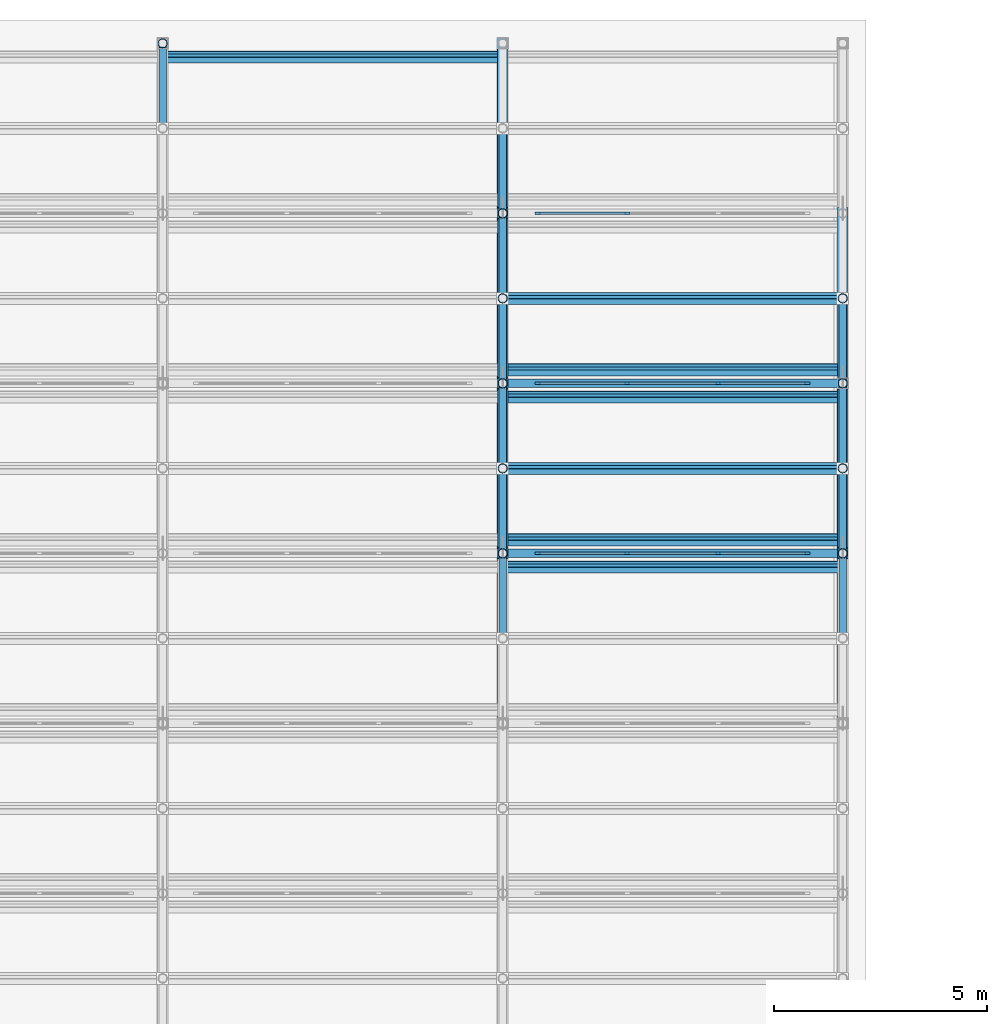
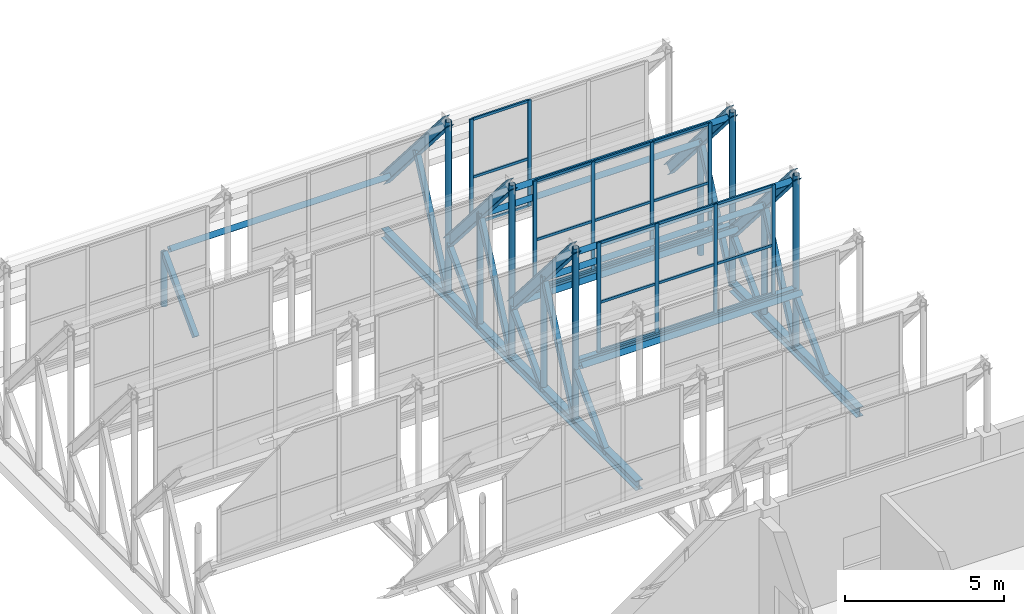
# One storey, part 27 of 43: 64 members, 4 beams, 3 elements without a shape of their own.
"""IFC4 building model written with IfcOpenShell, lengths in metres."""

from ifc_helpers import new_model, si_unit, direction, frame, origin, origin_2d, place, context, subcontext, project, spatial, rectangle, hollow_rectangle, hollow_circle, i_section, extrude, material, layer, layer_set, material_profile, profile_set, type_object, element, aggregate, save


model = new_model("IFC4")

# Units and contexts
model_context = context("Model", 3, precision=1e-05, world=origin(), true_north=direction((0.0, 1.0)))
body_context = subcontext(model_context, "Body", "Model", "MODEL_VIEW")
ifc_project = project(units=[si_unit("LENGTHUNIT", "METRE"), si_unit("AREAUNIT", "SQUARE_METRE"), si_unit("VOLUMEUNIT", "CUBIC_METRE"), si_unit("PLANEANGLEUNIT", "RADIAN"), si_unit("MASSUNIT", "GRAM", prefix="KILO")], contexts=[model_context])

# Site, building, storey
site_placement = place(None, origin())
site = spatial("IfcSite", under=ifc_project, at=site_placement, CompositionType="ELEMENT")
building_placement = place(site_placement, origin())
building = spatial("IfcBuilding", under=site, at=building_placement, Name="Qorikala Patio Media Centre", CompositionType="ELEMENT")
storey_placement = place(building_placement, frame((0.0, 0.0, 18.89990234375)))
storey = spatial("IfcBuildingStorey", under=building, at=storey_placement, Name="L04", CompositionType="ELEMENT", Elevation=18.89990234375)

# Members
ifc_material_1 = material(Name="Steel S355", Category="steel")
ifc_material_profile_1 = material_profile(ifc_material_1, hollow_rectangle(XDim=0.179931640625, YDim=0.179931640625, WallThickness=0.008056640625, at=origin_2d()), Name="HSS180X180X8")
ifc_profile_set_1 = profile_set([ifc_material_profile_1], Name="Steel S355")
member_type_1 = type_object("IfcMemberType", Name="BRACE-HSS180", PredefinedType="BRACE", material=ifc_profile_set_1)
for number, where, z_axis, x_axis, name in (
    (1, (11.0, 94.0, 0.35009765625), (0.0, 0.698315330267, 0.715790262238), (-1.0, 0.0, 0.0), "SAW-V4 Truss 2 Bay 6 Web Diagonal 2"),
    (2, (19.0, 82.0, 0.35009765625), (0.0, 0.698315330267, 0.715790262238), (-1.0, 0.0, 0.0), "SAW-V4 Truss 3 Bay 3 Web Diagonal 2"),
):
    element("IfcMember", number, at=place(storey_placement, frame(where, z_axis=z_axis, x_axis=x_axis)), inside=storey, type_object=member_type_1, Name=name, PredefinedType="BRACE", context=body_context, shape_type="SweptSolid", body=[
        extrude(hollow_rectangle(XDim=0.179931640625, YDim=0.179931640625, WallThickness=0.008056640625, at=origin_2d()), origin(), (0.0, 0.0, 1.0), 2.864013671875),
    ])
member_1_placement = place(storey_placement, frame((19.0, 84.0, 0.35009765625), z_axis=(0.0, 0.415759760268, 0.909474475586), x_axis=(-1.0, 0.0, 0.0)))
element("IfcMember", 3, at=member_1_placement, inside=storey, type_object=member_type_1, Name="SAW-V4 Truss 3 Bay 4 Web Diagonal 1", PredefinedType="BRACE", context=body_context, shape_type="SweptSolid", body=[
    extrude(hollow_rectangle(XDim=0.179931640625, YDim=0.179931640625, WallThickness=0.008056640625, at=origin_2d()), origin(), (0.0, 0.0, 1.0), 4.810546875),
])
member_2_placement = place(storey_placement, frame((19.0, 86.0, 0.35009765625), z_axis=(0.0, 0.698315330267, 0.715790262238), x_axis=(-1.0, 0.0, 0.0)))
element("IfcMember", 4, at=member_2_placement, inside=storey, type_object=member_type_1, Name="SAW-V4 Truss 3 Bay 4 Web Diagonal 2", PredefinedType="BRACE", context=body_context, shape_type="SweptSolid", body=[
    extrude(hollow_rectangle(XDim=0.179931640625, YDim=0.179931640625, WallThickness=0.008056640625, at=origin_2d()), origin(), (0.0, 0.0, 1.0), 2.864013671875),
])
member_3_placement = place(storey_placement, frame((19.0, 88.0, 0.35009765625), z_axis=(0.0, 0.415759760268, 0.909474475586), x_axis=(-1.0, 0.0, 0.0)))
element("IfcMember", 5, at=member_3_placement, inside=storey, type_object=member_type_1, Name="SAW-V4 Truss 3 Bay 5 Web Diagonal 1", PredefinedType="BRACE", context=body_context, shape_type="SweptSolid", body=[
    extrude(hollow_rectangle(XDim=0.179931640625, YDim=0.179931640625, WallThickness=0.008056640625, at=origin_2d()), origin(), (0.0, 0.0, 1.0), 4.810546875),
])
member_4_placement = place(storey_placement, frame((19.0, 90.0, 0.35009765625), z_axis=(0.0, 0.698315330267, 0.715790262238), x_axis=(-1.0, 0.0, 0.0)))
element("IfcMember", 6, at=member_4_placement, inside=storey, type_object=member_type_1, Name="SAW-V4 Truss 3 Bay 5 Web Diagonal 2", PredefinedType="BRACE", context=body_context, shape_type="SweptSolid", body=[
    extrude(hollow_rectangle(XDim=0.179931640625, YDim=0.179931640625, WallThickness=0.008056640625, at=origin_2d()), origin(), (0.0, 0.0, 1.0), 2.864013671875),
])
member_5_placement = place(storey_placement, frame((19.0, 92.0, 0.35009765625), z_axis=(0.0, 0.415759760268, 0.909474475586), x_axis=(-1.0, 0.0, 0.0)))
element("IfcMember", 7, at=member_5_placement, inside=storey, type_object=member_type_1, Name="SAW-V4 Truss 3 Bay 6 Web Diagonal 1", PredefinedType="BRACE", context=body_context, shape_type="SweptSolid", body=[
    extrude(hollow_rectangle(XDim=0.179931640625, YDim=0.179931640625, WallThickness=0.008056640625, at=origin_2d()), origin(), (0.0, 0.0, 1.0), 4.810546875),
])
member_6_placement = place(storey_placement, frame((27.0, 82.0, 0.35009765625), z_axis=(0.0, 0.698315330267, 0.715790262238), x_axis=(-1.0, 0.0, 0.0)))
element("IfcMember", 8, at=member_6_placement, inside=storey, type_object=member_type_1, Name="SAW-V4 Truss 4 Bay 3 Web Diagonal 2", PredefinedType="BRACE", context=body_context, shape_type="SweptSolid", body=[
    extrude(hollow_rectangle(XDim=0.179931640625, YDim=0.179931640625, WallThickness=0.008056640625, at=origin_2d()), origin(), (0.0, 0.0, 1.0), 2.864013671875),
])
member_7_placement = place(storey_placement, frame((27.0, 84.0, 0.35009765625), z_axis=(0.0, 0.415759760268, 0.909474475586), x_axis=(-1.0, 0.0, 0.0)))
element("IfcMember", 9, at=member_7_placement, inside=storey, type_object=member_type_1, Name="SAW-V4 Truss 4 Bay 4 Web Diagonal 1", PredefinedType="BRACE", context=body_context, shape_type="SweptSolid", body=[
    extrude(hollow_rectangle(XDim=0.179931640625, YDim=0.179931640625, WallThickness=0.008056640625, at=origin_2d()), origin(), (0.0, 0.0, 1.0), 4.810546875),
])
member_8_placement = place(storey_placement, frame((27.0, 86.0, 0.35009765625), z_axis=(0.0, 0.698315330267, 0.715790262238), x_axis=(-1.0, 0.0, 0.0)))
element("IfcMember", 10, at=member_8_placement, inside=storey, type_object=member_type_1, Name="SAW-V4 Truss 4 Bay 4 Web Diagonal 2", PredefinedType="BRACE", context=body_context, shape_type="SweptSolid", body=[
    extrude(hollow_rectangle(XDim=0.179931640625, YDim=0.179931640625, WallThickness=0.008056640625, at=origin_2d()), origin(), (0.0, 0.0, 1.0), 2.864013671875),
])
member_9_placement = place(storey_placement, frame((27.0, 88.0, 0.35009765625), z_axis=(0.0, 0.415759760268, 0.909474475586), x_axis=(-1.0, 0.0, 0.0)))
element("IfcMember", 11, at=member_9_placement, inside=storey, type_object=member_type_1, Name="SAW-V4 Truss 4 Bay 5 Web Diagonal 1", PredefinedType="BRACE", context=body_context, shape_type="SweptSolid", body=[
    extrude(hollow_rectangle(XDim=0.179931640625, YDim=0.179931640625, WallThickness=0.008056640625, at=origin_2d()), origin(), (0.0, 0.0, 1.0), 4.810546875),
])
ifc_material_profile_2 = material_profile(ifc_material_1, i_section(OverallWidth=0.25390625, OverallDepth=0.35302734375, WebThickness=0.009521484375, FlangeThickness=0.016357421875, at=origin_2d()), Name="W360X91")
ifc_profile_set_2 = profile_set([ifc_material_profile_2], Name="Steel S355")
member_type_2 = type_object("IfcMemberType", Name="CHORD-W360X91", PredefinedType="CHORD", material=ifc_profile_set_2)
for number, where, z_axis, x_axis, name in (
    (12, (19.0, 84.0, 7.050048828125), (0.0, 0.652140853929, -0.758097821285), (-1.0, 0.0, 0.0), "SAW-V4 Truss 3 Bay 4 Sloped Top Chord"),
    (13, (19.0, 88.0, 7.050048828125), (0.0, 0.652140853929, -0.758097821285), (-1.0, 0.0, 0.0), "SAW-V4 Truss 3 Bay 5 Sloped Top Chord"),
    (14, (19.0, 92.0, 7.050048828125), (0.0, 0.652140853929, -0.758097821285), (-1.0, 0.0, 0.0), "SAW-V4 Truss 3 Bay 6 Sloped Top Chord"),
    (15, (27.0, 84.0, 7.050048828125), (0.0, 0.652140853929, -0.758097821285), (-1.0, 0.0, 0.0), "SAW-V4 Truss 4 Bay 4 Sloped Top Chord"),
    (16, (27.0, 88.0, 7.050048828125), (0.0, 0.652140853929, -0.758097821285), (-1.0, 0.0, 0.0), "SAW-V4 Truss 4 Bay 5 Sloped Top Chord"),
):
    element("IfcMember", number, at=place(storey_placement, frame(where, z_axis=z_axis, x_axis=x_axis)), inside=storey, type_object=member_type_2, Name=name, PredefinedType="CHORD", context=body_context, shape_type="SweptSolid", body=[
        extrude(i_section(OverallWidth=0.25390625, OverallDepth=0.35302734375, WebThickness=0.009521484375, FlangeThickness=0.016357421875, at=origin_2d()), origin(), (0.0, 0.0, 1.0), 6.133544921875),
    ])

# Curtain wall, members
ifc_material_2 = material(Name="Bronze Anodised Aluminium and Low-E Glass", Category="aluminium")
ifc_layer_1 = layer(ifc_material_2, 0.159912109375)
ifc_layer_set_1 = layer_set([ifc_layer_1], Name="Bronze Anodised Aluminium and Low-E Glass")
curtain_wall_type_1 = type_object("IfcCurtainWallType", Name="CW-SAW-640X420", PredefinedType="USERDEFINED", material=ifc_layer_set_1)
curtain_wall_1_placement = place(storey_placement, origin())
curtain_wall_1 = element("IfcCurtainWall", 17, at=curtain_wall_1_placement, inside=storey, type_object=curtain_wall_type_1, Name="L04 Sawtooth Glazing 153", ObjectType="SAWTOOTH GLAZING", PredefinedType="USERDEFINED")
ifc_material_3 = material(Name="Bronze Anodised Aluminium", Category="aluminium")
ifc_material_profile_3 = material_profile(ifc_material_3, rectangle(XDim=0.06005859375, YDim=0.1298828125, at=origin_2d()), Name="ALU MULLION 60x130")
ifc_profile_set_3 = profile_set([ifc_material_profile_3], Name="Bronze Anodised Aluminium")
member_type_3 = type_object("IfcMemberType", Name="CWM-60X130", PredefinedType="MULLION", material=ifc_profile_set_3)
member_10_placement = place(storey_placement, frame((19.830078125, 84.0, 2.75), z_axis=(0.0, 0.0, 1.0), x_axis=(0.0, 1.0, 0.0)))
member_10 = element("IfcMember", 18, at=member_10_placement, type_object=member_type_3, Name="CWS640420 mullion 1", PredefinedType="MULLION", context=body_context, shape_type="SweptSolid", body=[
    extrude(rectangle(XDim=0.06005859375, YDim=0.1298828125, at=origin_2d()), origin(), (0.0, 0.0, 1.0), 4.2001953125),
])
member_11_placement = place(storey_placement, frame((21.933349609375, 84.0, 2.75), z_axis=(0.0, 0.0, 1.0), x_axis=(0.0, 1.0, 0.0)))
member_11 = element("IfcMember", 19, at=member_11_placement, type_object=member_type_3, Name="CWS640420 mullion 2", PredefinedType="MULLION", context=body_context, shape_type="SweptSolid", body=[
    extrude(rectangle(XDim=0.06005859375, YDim=0.1298828125, at=origin_2d()), origin(), (0.0, 0.0, 1.0), 4.2001953125),
])
member_12_placement = place(storey_placement, frame((24.066650390625, 84.0, 2.75), z_axis=(0.0, 0.0, 1.0), x_axis=(0.0, 1.0, 0.0)))
member_12 = element("IfcMember", 20, at=member_12_placement, type_object=member_type_3, Name="CWS640420 mullion 3", PredefinedType="MULLION", context=body_context, shape_type="SweptSolid", body=[
    extrude(rectangle(XDim=0.06005859375, YDim=0.1298828125, at=origin_2d()), origin(), (0.0, 0.0, 1.0), 4.2001953125),
])
member_13_placement = place(storey_placement, frame((26.169921875, 84.0, 2.75), z_axis=(0.0, 0.0, 1.0), x_axis=(0.0, 1.0, 0.0)))
member_13 = element("IfcMember", 21, at=member_13_placement, type_object=member_type_3, Name="CWS640420 mullion 4", PredefinedType="MULLION", context=body_context, shape_type="SweptSolid", body=[
    extrude(rectangle(XDim=0.06005859375, YDim=0.1298828125, at=origin_2d()), origin(), (0.0, 0.0, 1.0), 4.2001953125),
])

ifc_layer_2 = layer(ifc_material_2, 0.159912109375)
ifc_layer_set_2 = layer_set([ifc_layer_2], Name="Bronze Anodised Aluminium and Low-E Glass")
curtain_wall_type_2 = type_object("IfcCurtainWallType", Name="CW-SAW-640X414", PredefinedType="USERDEFINED", material=ifc_layer_set_2)
curtain_wall_2_placement = place(storey_placement, origin())
curtain_wall_2 = element("IfcCurtainWall", 22, at=curtain_wall_2_placement, inside=storey, type_object=curtain_wall_type_2, Name="L04 Sawtooth Glazing 156", ObjectType="SAWTOOTH GLAZING", PredefinedType="USERDEFINED")
member_14_placement = place(storey_placement, frame((19.830078125, 88.0, 2.75), z_axis=(0.0, 0.0, 1.0), x_axis=(0.0, 1.0, 0.0)))
member_14 = element("IfcMember", 23, at=member_14_placement, type_object=member_type_3, Name="CWS640414 mullion 1", PredefinedType="MULLION", context=body_context, shape_type="SweptSolid", body=[
    extrude(rectangle(XDim=0.06005859375, YDim=0.1298828125, at=origin_2d()), origin(), (0.0, 0.0, 1.0), 4.14013671875),
])
member_15_placement = place(storey_placement, frame((21.933349609375, 88.0, 2.75), z_axis=(0.0, 0.0, 1.0), x_axis=(0.0, 1.0, 0.0)))
member_15 = element("IfcMember", 24, at=member_15_placement, type_object=member_type_3, Name="CWS640414 mullion 2", PredefinedType="MULLION", context=body_context, shape_type="SweptSolid", body=[
    extrude(rectangle(XDim=0.06005859375, YDim=0.1298828125, at=origin_2d()), origin(), (0.0, 0.0, 1.0), 4.14013671875),
])
member_16_placement = place(storey_placement, frame((24.066650390625, 88.0, 2.75), z_axis=(0.0, 0.0, 1.0), x_axis=(0.0, 1.0, 0.0)))
member_16 = element("IfcMember", 25, at=member_16_placement, type_object=member_type_3, Name="CWS640414 mullion 3", PredefinedType="MULLION", context=body_context, shape_type="SweptSolid", body=[
    extrude(rectangle(XDim=0.06005859375, YDim=0.1298828125, at=origin_2d()), origin(), (0.0, 0.0, 1.0), 4.14013671875),
])
member_17_placement = place(storey_placement, frame((26.169921875, 88.0, 2.75), z_axis=(0.0, 0.0, 1.0), x_axis=(0.0, 1.0, 0.0)))
member_17 = element("IfcMember", 26, at=member_17_placement, type_object=member_type_3, Name="CWS640414 mullion 4", PredefinedType="MULLION", context=body_context, shape_type="SweptSolid", body=[
    extrude(rectangle(XDim=0.06005859375, YDim=0.1298828125, at=origin_2d()), origin(), (0.0, 0.0, 1.0), 4.14013671875),
])

ifc_layer_3 = layer(ifc_material_2, 0.159912109375)
ifc_layer_set_3 = layer_set([ifc_layer_3], Name="Bronze Anodised Aluminium and Low-E Glass")
curtain_wall_type_3 = type_object("IfcCurtainWallType", Name="CW-SAW-640X408", PredefinedType="USERDEFINED", material=ifc_layer_set_3)
curtain_wall_3_placement = place(storey_placement, origin())
curtain_wall_3 = element("IfcCurtainWall", 27, at=curtain_wall_3_placement, inside=storey, type_object=curtain_wall_type_3, Name="L04 Sawtooth Glazing 159", ObjectType="SAWTOOTH GLAZING", PredefinedType="USERDEFINED")
member_18_placement = place(storey_placement, frame((19.830078125, 92.0, 2.75), z_axis=(0.0, 0.0, 1.0), x_axis=(0.0, 1.0, 0.0)))
member_18 = element("IfcMember", 28, at=member_18_placement, type_object=member_type_3, Name="CWS640408 mullion 1", PredefinedType="MULLION", context=body_context, shape_type="SweptSolid", body=[
    extrude(rectangle(XDim=0.06005859375, YDim=0.1298828125, at=origin_2d()), origin(), (0.0, 0.0, 1.0), 4.080078125),
])
member_19_placement = place(storey_placement, frame((21.933349609375, 92.0, 2.75), z_axis=(0.0, 0.0, 1.0), x_axis=(0.0, 1.0, 0.0)))
member_19 = element("IfcMember", 29, at=member_19_placement, type_object=member_type_3, Name="CWS640408 mullion 2", PredefinedType="MULLION", context=body_context, shape_type="SweptSolid", body=[
    extrude(rectangle(XDim=0.06005859375, YDim=0.1298828125, at=origin_2d()), origin(), (0.0, 0.0, 1.0), 4.080078125),
])

# Member
ifc_material_profile_4 = material_profile(ifc_material_3, rectangle(XDim=0.06005859375, YDim=0.10009765625, at=origin_2d()), Name="ALU TRANSOM 60x100")
ifc_profile_set_4 = profile_set([ifc_material_profile_4], Name="Bronze Anodised Aluminium")
member_type_4 = type_object("IfcMemberType", Name="CWT-60X100", PredefinedType="USERDEFINED", material=ifc_profile_set_4)
member_20_placement = place(storey_placement, frame((19.860107421875, 84.0, 2.780029296875), z_axis=(1.0, 0.0, 0.0), x_axis=(0.0, 1.0, 0.0)))
member_20 = element("IfcMember", 30, at=member_20_placement, type_object=member_type_4, Name="CWS640420 transom 1.1", ObjectType="TRANSOM", PredefinedType="USERDEFINED", context=body_context, shape_type="SweptSolid", body=[
    extrude(rectangle(XDim=0.06005859375, YDim=0.10009765625, at=origin_2d()), origin(), (0.0, 0.0, 1.0), 2.043212890625),
])

member_21_placement = place(storey_placement, frame((19.860107421875, 84.0, 4.64013671875), z_axis=(1.0, 0.0, 0.0), x_axis=(0.0, 1.0, 0.0)))
member_21 = element("IfcMember", 31, at=member_21_placement, type_object=member_type_4, Name="CWS640420 transom 1.2", ObjectType="TRANSOM", PredefinedType="USERDEFINED", context=body_context, shape_type="SweptSolid", body=[
    extrude(rectangle(XDim=0.06005859375, YDim=0.10009765625, at=origin_2d()), origin(), (0.0, 0.0, 1.0), 2.043212890625),
])

member_22_placement = place(storey_placement, frame((19.860107421875, 84.0, 6.920166015625), z_axis=(1.0, 0.0, 0.0), x_axis=(0.0, 1.0, 0.0)))
member_22 = element("IfcMember", 32, at=member_22_placement, type_object=member_type_4, Name="CWS640420 transom 1.3", ObjectType="TRANSOM", PredefinedType="USERDEFINED", context=body_context, shape_type="SweptSolid", body=[
    extrude(rectangle(XDim=0.06005859375, YDim=0.10009765625, at=origin_2d()), origin(), (0.0, 0.0, 1.0), 2.043212890625),
])

member_23_placement = place(storey_placement, frame((21.96337890625, 84.0, 2.780029296875), z_axis=(1.0, 0.0, 0.0), x_axis=(0.0, 1.0, 0.0)))
member_23 = element("IfcMember", 33, at=member_23_placement, type_object=member_type_4, Name="CWS640420 transom 2.1", ObjectType="TRANSOM", PredefinedType="USERDEFINED", context=body_context, shape_type="SweptSolid", body=[
    extrude(rectangle(XDim=0.06005859375, YDim=0.10009765625, at=origin_2d()), origin(), (0.0, 0.0, 1.0), 2.0732421875),
])

member_24_placement = place(storey_placement, frame((21.96337890625, 84.0, 4.64013671875), z_axis=(1.0, 0.0, 0.0), x_axis=(0.0, 1.0, 0.0)))
member_24 = element("IfcMember", 34, at=member_24_placement, type_object=member_type_4, Name="CWS640420 transom 2.2", ObjectType="TRANSOM", PredefinedType="USERDEFINED", context=body_context, shape_type="SweptSolid", body=[
    extrude(rectangle(XDim=0.06005859375, YDim=0.10009765625, at=origin_2d()), origin(), (0.0, 0.0, 1.0), 2.0732421875),
])

member_25_placement = place(storey_placement, frame((21.96337890625, 84.0, 6.920166015625), z_axis=(1.0, 0.0, 0.0), x_axis=(0.0, 1.0, 0.0)))
member_25 = element("IfcMember", 35, at=member_25_placement, type_object=member_type_4, Name="CWS640420 transom 2.3", ObjectType="TRANSOM", PredefinedType="USERDEFINED", context=body_context, shape_type="SweptSolid", body=[
    extrude(rectangle(XDim=0.06005859375, YDim=0.10009765625, at=origin_2d()), origin(), (0.0, 0.0, 1.0), 2.0732421875),
])

member_26_placement = place(storey_placement, frame((24.0966796875, 84.0, 2.780029296875), z_axis=(1.0, 0.0, 0.0), x_axis=(0.0, 1.0, 0.0)))
member_26 = element("IfcMember", 36, at=member_26_placement, type_object=member_type_4, Name="CWS640420 transom 3.1", ObjectType="TRANSOM", PredefinedType="USERDEFINED", context=body_context, shape_type="SweptSolid", body=[
    extrude(rectangle(XDim=0.06005859375, YDim=0.10009765625, at=origin_2d()), origin(), (0.0, 0.0, 1.0), 2.043212890625),
])

member_27_placement = place(storey_placement, frame((24.0966796875, 84.0, 4.64013671875), z_axis=(1.0, 0.0, 0.0), x_axis=(0.0, 1.0, 0.0)))
member_27 = element("IfcMember", 37, at=member_27_placement, type_object=member_type_4, Name="CWS640420 transom 3.2", ObjectType="TRANSOM", PredefinedType="USERDEFINED", context=body_context, shape_type="SweptSolid", body=[
    extrude(rectangle(XDim=0.06005859375, YDim=0.10009765625, at=origin_2d()), origin(), (0.0, 0.0, 1.0), 2.043212890625),
])

member_28_placement = place(storey_placement, frame((24.0966796875, 84.0, 6.920166015625), z_axis=(1.0, 0.0, 0.0), x_axis=(0.0, 1.0, 0.0)))
member_28 = element("IfcMember", 38, at=member_28_placement, type_object=member_type_4, Name="CWS640420 transom 3.3", ObjectType="TRANSOM", PredefinedType="USERDEFINED", context=body_context, shape_type="SweptSolid", body=[
    extrude(rectangle(XDim=0.06005859375, YDim=0.10009765625, at=origin_2d()), origin(), (0.0, 0.0, 1.0), 2.043212890625),
])

aggregate(curtain_wall_1, [member_10, member_11, member_12, member_13, member_20, member_21, member_22, member_23, member_24, member_25, member_26, member_27, member_28])

member_29_placement = place(storey_placement, frame((19.860107421875, 88.0, 2.780029296875), z_axis=(1.0, 0.0, 0.0), x_axis=(0.0, 1.0, 0.0)))
member_29 = element("IfcMember", 39, at=member_29_placement, type_object=member_type_4, Name="CWS640414 transom 1.1", ObjectType="TRANSOM", PredefinedType="USERDEFINED", context=body_context, shape_type="SweptSolid", body=[
    extrude(rectangle(XDim=0.06005859375, YDim=0.10009765625, at=origin_2d()), origin(), (0.0, 0.0, 1.0), 2.043212890625),
])

member_30_placement = place(storey_placement, frame((19.860107421875, 88.0, 4.613037109375), z_axis=(1.0, 0.0, 0.0), x_axis=(0.0, 1.0, 0.0)))
member_30 = element("IfcMember", 40, at=member_30_placement, type_object=member_type_4, Name="CWS640414 transom 1.2", ObjectType="TRANSOM", PredefinedType="USERDEFINED", context=body_context, shape_type="SweptSolid", body=[
    extrude(rectangle(XDim=0.06005859375, YDim=0.10009765625, at=origin_2d()), origin(), (0.0, 0.0, 1.0), 2.043212890625),
])

member_31_placement = place(storey_placement, frame((19.860107421875, 88.0, 6.860107421875), z_axis=(1.0, 0.0, 0.0), x_axis=(0.0, 1.0, 0.0)))
member_31 = element("IfcMember", 41, at=member_31_placement, type_object=member_type_4, Name="CWS640414 transom 1.3", ObjectType="TRANSOM", PredefinedType="USERDEFINED", context=body_context, shape_type="SweptSolid", body=[
    extrude(rectangle(XDim=0.06005859375, YDim=0.10009765625, at=origin_2d()), origin(), (0.0, 0.0, 1.0), 2.043212890625),
])

member_32_placement = place(storey_placement, frame((21.96337890625, 88.0, 2.780029296875), z_axis=(1.0, 0.0, 0.0), x_axis=(0.0, 1.0, 0.0)))
member_32 = element("IfcMember", 42, at=member_32_placement, type_object=member_type_4, Name="CWS640414 transom 2.1", ObjectType="TRANSOM", PredefinedType="USERDEFINED", context=body_context, shape_type="SweptSolid", body=[
    extrude(rectangle(XDim=0.06005859375, YDim=0.10009765625, at=origin_2d()), origin(), (0.0, 0.0, 1.0), 2.0732421875),
])

member_33_placement = place(storey_placement, frame((21.96337890625, 88.0, 4.613037109375), z_axis=(1.0, 0.0, 0.0), x_axis=(0.0, 1.0, 0.0)))
member_33 = element("IfcMember", 43, at=member_33_placement, type_object=member_type_4, Name="CWS640414 transom 2.2", ObjectType="TRANSOM", PredefinedType="USERDEFINED", context=body_context, shape_type="SweptSolid", body=[
    extrude(rectangle(XDim=0.06005859375, YDim=0.10009765625, at=origin_2d()), origin(), (0.0, 0.0, 1.0), 2.0732421875),
])

member_34_placement = place(storey_placement, frame((21.96337890625, 88.0, 6.860107421875), z_axis=(1.0, 0.0, 0.0), x_axis=(0.0, 1.0, 0.0)))
member_34 = element("IfcMember", 44, at=member_34_placement, type_object=member_type_4, Name="CWS640414 transom 2.3", ObjectType="TRANSOM", PredefinedType="USERDEFINED", context=body_context, shape_type="SweptSolid", body=[
    extrude(rectangle(XDim=0.06005859375, YDim=0.10009765625, at=origin_2d()), origin(), (0.0, 0.0, 1.0), 2.0732421875),
])

member_35_placement = place(storey_placement, frame((24.0966796875, 88.0, 2.780029296875), z_axis=(1.0, 0.0, 0.0), x_axis=(0.0, 1.0, 0.0)))
member_35 = element("IfcMember", 45, at=member_35_placement, type_object=member_type_4, Name="CWS640414 transom 3.1", ObjectType="TRANSOM", PredefinedType="USERDEFINED", context=body_context, shape_type="SweptSolid", body=[
    extrude(rectangle(XDim=0.06005859375, YDim=0.10009765625, at=origin_2d()), origin(), (0.0, 0.0, 1.0), 2.043212890625),
])

member_36_placement = place(storey_placement, frame((24.0966796875, 88.0, 4.613037109375), z_axis=(1.0, 0.0, 0.0), x_axis=(0.0, 1.0, 0.0)))
member_36 = element("IfcMember", 46, at=member_36_placement, type_object=member_type_4, Name="CWS640414 transom 3.2", ObjectType="TRANSOM", PredefinedType="USERDEFINED", context=body_context, shape_type="SweptSolid", body=[
    extrude(rectangle(XDim=0.06005859375, YDim=0.10009765625, at=origin_2d()), origin(), (0.0, 0.0, 1.0), 2.043212890625),
])

member_37_placement = place(storey_placement, frame((24.0966796875, 88.0, 6.860107421875), z_axis=(1.0, 0.0, 0.0), x_axis=(0.0, 1.0, 0.0)))
member_37 = element("IfcMember", 47, at=member_37_placement, type_object=member_type_4, Name="CWS640414 transom 3.3", ObjectType="TRANSOM", PredefinedType="USERDEFINED", context=body_context, shape_type="SweptSolid", body=[
    extrude(rectangle(XDim=0.06005859375, YDim=0.10009765625, at=origin_2d()), origin(), (0.0, 0.0, 1.0), 2.043212890625),
])

aggregate(curtain_wall_2, [member_14, member_15, member_16, member_17, member_29, member_30, member_31, member_32, member_33, member_34, member_35, member_36, member_37])

member_38_placement = place(storey_placement, frame((19.860107421875, 92.0, 2.780029296875), z_axis=(1.0, 0.0, 0.0), x_axis=(0.0, 1.0, 0.0)))
member_38 = element("IfcMember", 48, at=member_38_placement, type_object=member_type_4, Name="CWS640408 transom 1.1", ObjectType="TRANSOM", PredefinedType="USERDEFINED", context=body_context, shape_type="SweptSolid", body=[
    extrude(rectangle(XDim=0.06005859375, YDim=0.10009765625, at=origin_2d()), origin(), (0.0, 0.0, 1.0), 2.043212890625),
])

member_39_placement = place(storey_placement, frame((19.860107421875, 92.0, 4.586181640625), z_axis=(1.0, 0.0, 0.0), x_axis=(0.0, 1.0, 0.0)))
member_39 = element("IfcMember", 49, at=member_39_placement, type_object=member_type_4, Name="CWS640408 transom 1.2", ObjectType="TRANSOM", PredefinedType="USERDEFINED", context=body_context, shape_type="SweptSolid", body=[
    extrude(rectangle(XDim=0.06005859375, YDim=0.10009765625, at=origin_2d()), origin(), (0.0, 0.0, 1.0), 2.043212890625),
])

member_40_placement = place(storey_placement, frame((19.860107421875, 92.0, 6.800048828125), z_axis=(1.0, 0.0, 0.0), x_axis=(0.0, 1.0, 0.0)))
member_40 = element("IfcMember", 50, at=member_40_placement, type_object=member_type_4, Name="CWS640408 transom 1.3", ObjectType="TRANSOM", PredefinedType="USERDEFINED", context=body_context, shape_type="SweptSolid", body=[
    extrude(rectangle(XDim=0.06005859375, YDim=0.10009765625, at=origin_2d()), origin(), (0.0, 0.0, 1.0), 2.043212890625),
])

aggregate(curtain_wall_3, [member_18, member_19, member_38, member_39, member_40])

# Members
ifc_material_profile_5 = material_profile(ifc_material_1, i_section(OverallWidth=0.202880859375, OverallDepth=0.202880859375, WebThickness=0.007080078125, FlangeThickness=0.010986328125, at=origin_2d()), Name="W200X46")
ifc_profile_set_5 = profile_set([ifc_material_profile_5], Name="Steel S355")
member_type_5 = type_object("IfcMemberType", Name="PURLIN-W200X46", PredefinedType="PURLIN", material=ifc_profile_set_5)
for number, where, z_axis, x_axis, name in (
    (51, (19.0, 83.679931640625, 2.6904296875), (1.0, 0.0, 0.0), (0.0, 0.652138098758, 0.758100191366), "SAW-V4 Bay 3 Roof Purlin"),
    (52, (19.0, 84.320068359375, 6.596435546875), (1.0, 0.0, 0.0), (0.0, 0.652138098758, 0.758100191366), "SAW-V4 Bay 4 Roof Purlin"),
    (53, (19.0, 86.0, 4.643310546875), (1.0, 0.0, 0.0), (0.0, 0.652138098758, 0.758100191366), "SAW-V4 Bay 4 Roof Purlin"),
    (54, (19.0, 87.679931640625, 2.6904296875), (1.0, 0.0, 0.0), (0.0, 0.652138098758, 0.758100191366), "SAW-V4 Bay 4 Roof Purlin"),
    (55, (19.0, 88.320068359375, 6.596435546875), (1.0, 0.0, 0.0), (0.0, 0.652138098758, 0.758100191366), "SAW-V4 Bay 5 Roof Purlin"),
    (56, (19.0, 90.0, 4.643310546875), (1.0, 0.0, 0.0), (0.0, 0.652138098758, 0.758100191366), "SAW-V4 Bay 5 Roof Purlin"),
    (57, (11.0, 95.679931640625, 2.6904296875), (1.0, 0.0, 0.0), (0.0, 0.652138098758, 0.758100191366), "SAW-V4 Bay 6 Roof Purlin"),
):
    element("IfcMember", number, at=place(storey_placement, frame(where, z_axis=z_axis, x_axis=x_axis)), inside=storey, type_object=member_type_5, Name=name, PredefinedType="PURLIN", context=body_context, shape_type="SweptSolid", body=[
        extrude(i_section(OverallWidth=0.202880859375, OverallDepth=0.202880859375, WebThickness=0.007080078125, FlangeThickness=0.010986328125, at=origin_2d()), origin(), (0.0, 0.0, 1.0), 8.0),
    ])

# Beams
ifc_material_profile_6 = material_profile(ifc_material_1, i_section(OverallWidth=0.202880859375, OverallDepth=0.251953125, WebThickness=0.008056640625, FlangeThickness=0.013427734375, at=origin_2d()), Name="W250X58")
ifc_profile_set_6 = profile_set([ifc_material_profile_6], Name="Steel S355")
beam_type_1 = type_object("IfcBeamType", Name="SBM-W250X58", PredefinedType="BEAM", material=ifc_profile_set_6)
for number, where, z_axis, x_axis, name in (
    (58, (19.0, 84.0, 2.625), (1.0, 0.0, 0.0), (0.0, 1.0, 0.0), "Sawtooth V4 Clerestory Sill Beam 4.3"),
    (59, (19.0, 88.0, 2.625), (1.0, 0.0, 0.0), (0.0, 1.0, 0.0), "Sawtooth V4 Clerestory Sill Beam 5.3"),
):
    element("IfcBeam", number, at=place(storey_placement, frame(where, z_axis=z_axis, x_axis=x_axis)), inside=storey, type_object=beam_type_1, Name=name, PredefinedType="BEAM", context=body_context, shape_type="SweptSolid", body=[
        extrude(i_section(OverallWidth=0.202880859375, OverallDepth=0.251953125, WebThickness=0.008056640625, FlangeThickness=0.013427734375, at=origin_2d()), origin(), (0.0, 0.0, 1.0), 8.0),
    ])
ifc_material_profile_7 = material_profile(ifc_material_1, i_section(OverallWidth=0.257080078125, OverallDepth=0.363037109375, WebThickness=0.012939453125, FlangeThickness=0.021728515625, at=origin_2d()), Name="W360X122")
ifc_profile_set_7 = profile_set([ifc_material_profile_7], Name="Steel S355")
beam_type_2 = type_object("IfcBeamType", Name="SBM-W360X122", PredefinedType="BEAM", material=ifc_profile_set_7)
beam_1_placement = place(storey_placement, frame((19.0, 80.0, 0.35009765625), z_axis=(0.0, 1.0, 0.0), x_axis=(-1.0, 0.0, 0.0)))
element("IfcBeam", 60, at=beam_1_placement, inside=storey, type_object=beam_type_2, Name="SAW-V4 Longitudinal Truss Tie Girder X=19", PredefinedType="BEAM", context=body_context, shape_type="SweptSolid", body=[
    extrude(i_section(OverallWidth=0.257080078125, OverallDepth=0.363037109375, WebThickness=0.012939453125, FlangeThickness=0.021728515625, at=origin_2d()), origin(), (0.0, 0.0, 1.0), 16.0),
])
beam_2_placement = place(storey_placement, frame((27.0, 80.0, 0.35009765625), z_axis=(0.0, 1.0, 0.0), x_axis=(-1.0, 0.0, 0.0)))
element("IfcBeam", 61, at=beam_2_placement, inside=storey, type_object=beam_type_2, Name="SAW-V4 Longitudinal Truss Tie Girder X=27", PredefinedType="BEAM", context=body_context, shape_type="SweptSolid", body=[
    extrude(i_section(OverallWidth=0.257080078125, OverallDepth=0.363037109375, WebThickness=0.012939453125, FlangeThickness=0.021728515625, at=origin_2d()), origin(), (0.0, 0.0, 1.0), 8.0),
])

# Members
ifc_material_profile_8 = material_profile(ifc_material_1, hollow_circle(Radius=0.109619140625, WallThickness=0.008056640625, at=origin_2d()), Name="CHS219X8")
ifc_profile_set_8 = profile_set([ifc_material_profile_8], Name="Steel S355")
member_type_6 = type_object("IfcMemberType", Name="STRUT-CHS219", PredefinedType="STRUT", material=ifc_profile_set_8)
member_41_placement = place(storey_placement, frame((11.0, 96.0, 0.35009765625), z_axis=(0.0, 0.0, 1.0), x_axis=(1.0, 0.0, 0.0)))
element("IfcMember", 62, at=member_41_placement, inside=storey, type_object=member_type_6, Name="SAW-V4 Truss 2 End Valley Post", PredefinedType="STRUT", context=body_context, shape_type="SweptSolid", body=[
    extrude(hollow_circle(Radius=0.109619140625, WallThickness=0.008056640625, at=origin_2d()), origin(), (0.0, 0.0, 1.0), 2.050048828125),
])
member_42_placement = place(storey_placement, frame((19.0, 84.0, 0.35009765625), z_axis=(0.0, 0.0, 1.0), x_axis=(1.0, 0.0, 0.0)))
element("IfcMember", 63, at=member_42_placement, inside=storey, type_object=member_type_6, Name="SAW-V4 Truss 3 Bay 4 Clerestory Post", PredefinedType="STRUT", context=body_context, shape_type="SweptSolid", body=[
    extrude(hollow_circle(Radius=0.109619140625, WallThickness=0.008056640625, at=origin_2d()), origin(), (0.0, 0.0, 1.0), 6.699951171875),
])
member_43_placement = place(storey_placement, frame((19.0, 86.0, 0.35009765625), z_axis=(0.0, 0.0, 1.0), x_axis=(1.0, 0.0, 0.0)))
element("IfcMember", 64, at=member_43_placement, inside=storey, type_object=member_type_6, Name="SAW-V4 Truss 3 Bay 4 Mid Strut", PredefinedType="STRUT", context=body_context, shape_type="SweptSolid", body=[
    extrude(hollow_circle(Radius=0.109619140625, WallThickness=0.008056640625, at=origin_2d()), origin(), (0.0, 0.0, 1.0), 4.375),
])
member_44_placement = place(storey_placement, frame((19.0, 88.0, 0.35009765625), z_axis=(0.0, 0.0, 1.0), x_axis=(1.0, 0.0, 0.0)))
element("IfcMember", 65, at=member_44_placement, inside=storey, type_object=member_type_6, Name="SAW-V4 Truss 3 Bay 5 Clerestory Post", PredefinedType="STRUT", context=body_context, shape_type="SweptSolid", body=[
    extrude(hollow_circle(Radius=0.109619140625, WallThickness=0.008056640625, at=origin_2d()), origin(), (0.0, 0.0, 1.0), 6.699951171875),
])
member_45_placement = place(storey_placement, frame((19.0, 90.0, 0.35009765625), z_axis=(0.0, 0.0, 1.0), x_axis=(1.0, 0.0, 0.0)))
element("IfcMember", 66, at=member_45_placement, inside=storey, type_object=member_type_6, Name="SAW-V4 Truss 3 Bay 5 Mid Strut", PredefinedType="STRUT", context=body_context, shape_type="SweptSolid", body=[
    extrude(hollow_circle(Radius=0.109619140625, WallThickness=0.008056640625, at=origin_2d()), origin(), (0.0, 0.0, 1.0), 4.375),
])
for number, where, z_axis, x_axis, name in (
    (67, (19.0, 92.0, 0.35009765625), (0.0, 0.0, 1.0), (1.0, 0.0, 0.0), "SAW-V4 Truss 3 Bay 6 Clerestory Post"),
    (68, (27.0, 84.0, 0.35009765625), (0.0, 0.0, 1.0), (1.0, 0.0, 0.0), "SAW-V4 Truss 4 Bay 4 Clerestory Post"),
):
    element("IfcMember", number, at=place(storey_placement, frame(where, z_axis=z_axis, x_axis=x_axis)), inside=storey, type_object=member_type_6, Name=name, PredefinedType="STRUT", context=body_context, shape_type="SweptSolid", body=[
        extrude(hollow_circle(Radius=0.109619140625, WallThickness=0.008056640625, at=origin_2d()), origin(), (0.0, 0.0, 1.0), 6.699951171875),
    ])
member_46_placement = place(storey_placement, frame((27.0, 86.0, 0.35009765625), z_axis=(0.0, 0.0, 1.0), x_axis=(1.0, 0.0, 0.0)))
element("IfcMember", 69, at=member_46_placement, inside=storey, type_object=member_type_6, Name="SAW-V4 Truss 4 Bay 4 Mid Strut", PredefinedType="STRUT", context=body_context, shape_type="SweptSolid", body=[
    extrude(hollow_circle(Radius=0.109619140625, WallThickness=0.008056640625, at=origin_2d()), origin(), (0.0, 0.0, 1.0), 4.375),
])
member_47_placement = place(storey_placement, frame((27.0, 88.0, 0.35009765625), z_axis=(0.0, 0.0, 1.0), x_axis=(1.0, 0.0, 0.0)))
element("IfcMember", 70, at=member_47_placement, inside=storey, type_object=member_type_6, Name="SAW-V4 Truss 4 Bay 5 Clerestory Post", PredefinedType="STRUT", context=body_context, shape_type="SweptSolid", body=[
    extrude(hollow_circle(Radius=0.109619140625, WallThickness=0.008056640625, at=origin_2d()), origin(), (0.0, 0.0, 1.0), 6.699951171875),
])
member_48_placement = place(storey_placement, frame((27.0, 90.0, 0.35009765625), z_axis=(0.0, 0.0, 1.0), x_axis=(1.0, 0.0, 0.0)))
element("IfcMember", 71, at=member_48_placement, inside=storey, type_object=member_type_6, Name="SAW-V4 Truss 4 Bay 5 Mid Strut", PredefinedType="STRUT", context=body_context, shape_type="SweptSolid", body=[
    extrude(hollow_circle(Radius=0.109619140625, WallThickness=0.008056640625, at=origin_2d()), origin(), (0.0, 0.0, 1.0), 4.375),
])

save(model, "model.ifc")
